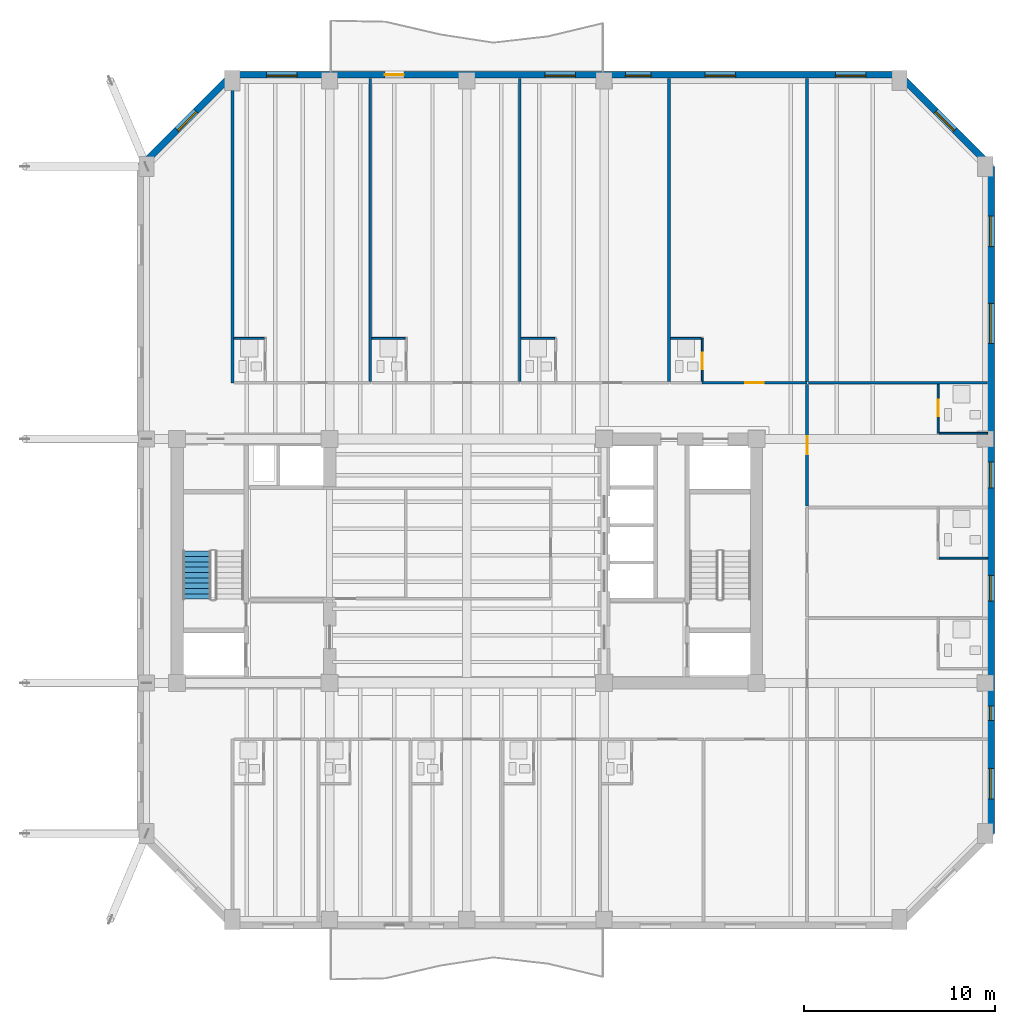
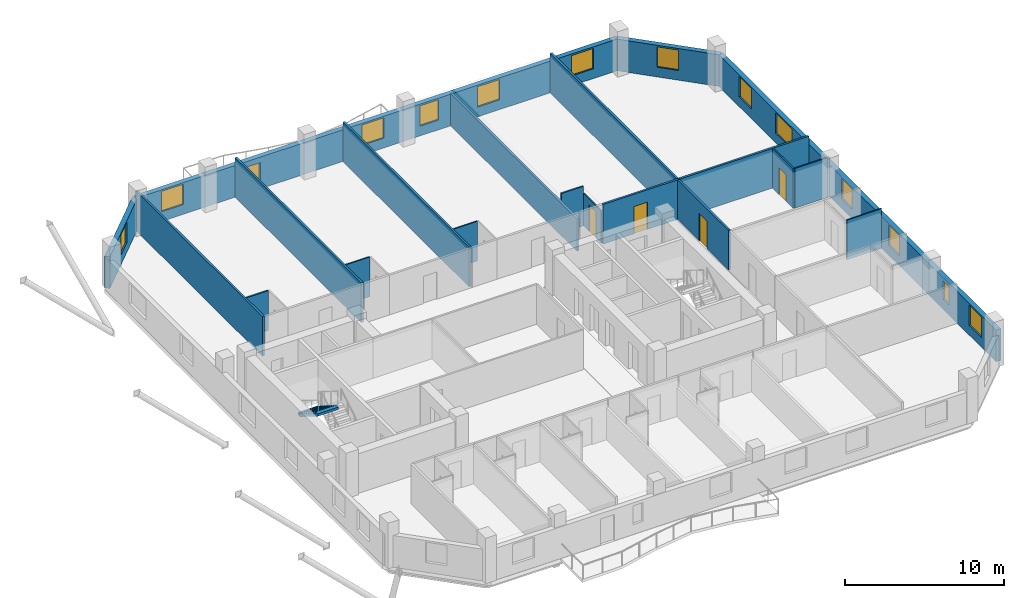
# One storey, part 8 of 13: 20 walls, 13 windows, 5 doors, 1 stair flight, 18 openings, 1 element without a shape of its own.
"""IFC4 building model written with IfcOpenShell, lengths in metres."""

from ifc_helpers import new_model, si_unit, direction, frame, frame_2d, origin, place, context, subcontext, project, spatial, polyline, rectangle, outline, extrude, material, layer, layer_set, type_object, element, fill, aggregate, save


model = new_model("IFC4")

# Units and contexts
model_context = context("Model", 3, precision=1e-05, world=origin(), true_north=direction((0.0, 1.0)))
body_context = subcontext(model_context, "Body", "Model", "MODEL_VIEW")
ifc_project = project(units=[si_unit("LENGTHUNIT", "METRE"), si_unit("AREAUNIT", "SQUARE_METRE"), si_unit("VOLUMEUNIT", "CUBIC_METRE"), si_unit("PLANEANGLEUNIT", "RADIAN"), si_unit("MASSUNIT", "GRAM", prefix="KILO")], contexts=[model_context])

# Site, building, storey
site_placement = place(None, origin())
site = spatial("IfcSite", under=ifc_project, at=site_placement, CompositionType="ELEMENT")
building_placement = place(site_placement, origin())
building = spatial("IfcBuilding", under=site, at=building_placement, Name="Kranthara Brick Stack", CompositionType="ELEMENT")
storey_placement = place(building_placement, frame((0.0, 0.0, 179.800048828125)))
storey = spatial("IfcBuildingStorey", under=building, at=storey_placement, Name="L46", CompositionType="ELEMENT", Elevation=179.800048828125)

# Wall, opening, window
ifc_material_1 = material(Name="Kiln-fired clay brick masonry M15", Category="masonry")
ifc_layer_1 = layer(ifc_material_1, 0.35009765625)
ifc_layer_set_1 = layer_set([ifc_layer_1], Name="Kiln-fired clay brick masonry M15")
wall_type_1 = type_object("IfcWallType", Name="WL-BRK-SPND-350", PredefinedType="STANDARD", material=ifc_layer_set_1)
wall_1_placement = place(storey_placement, frame((10.89501953125, 47.89990234375, 0.0), z_axis=(0.0, 0.0, 1.0), x_axis=(0.707088817216, 0.7071247447, 0.0)))
wall_1 = element("IfcWall", 1, at=wall_1_placement, inside=storey, type_object=wall_type_1, Name="L46 Exterior Brick Facade Wall NW 1", PredefinedType="STANDARD", context=body_context, shape_type="SweptSolid", body=[
    extrude(rectangle(XDim=6.79541015625, YDim=0.35009765625, at=frame_2d((3.397705078125, 0.0))), origin(), (0.0, 0.0, 1.0), 2.43505859375),
])
opening_1_placement = place(wall_1_placement, frame((2.697998046875, 0.0, 0.75)))
opening_1 = element("IfcOpeningElement", 2, at=opening_1_placement, cuts=wall_1, Name="Opening WN10", PredefinedType="OPENING", context=body_context, shape_type="SweptSolid", body=[
    extrude(rectangle(XDim=1.39990234375, YDim=1.56494140625, at=frame_2d((0.699951171875, 0.782470703125))), frame((0.0, 0.18505859375, 0.0), z_axis=(0.0, -1.0, 0.0), x_axis=(1.0, 0.0, 0.0)), (0.0, 0.0, 1.0), 0.3701171875),
])
ifc_material_2 = material(Name="Double-glazed low-E solar control glass", Category="glass")
window_type_1 = type_object("IfcWindowType", Name="WN-CHM-1400x1750", PartitioningType="SINGLE_PANEL", PredefinedType="WINDOW", material=ifc_material_2)
window_1_placement = place(opening_1_placement, origin())
window_1 = element("IfcWindow", 3, at=window_1_placement, inside=storey, type_object=window_type_1, Name="L46 NW Chamfer Corner Window", OverallHeight=1.56494140625, OverallWidth=1.39990234375, PartitioningType="SINGLE_PANEL", PredefinedType="WINDOW", context=body_context, shape_type="SweptSolid", body=[
    extrude(rectangle(XDim=1.39990234375, YDim=1.56494140625, at=frame_2d((0.699951171875, 0.782470703125))), frame((0.0, -0.010009765625, 0.0), z_axis=(0.0, -1.0, 0.0), x_axis=(1.0, 0.0, 0.0)), (0.0, 0.0, 1.0), 0.06005859375),
])
fill(opening_1, window_1)

# Wall, openings, door, windows
wall_2_placement = place(storey_placement, frame((15.699951171875, 52.705078125, 0.0), z_axis=(0.0, 0.0, 1.0), x_axis=(1.0, 0.0, 0.0)))
wall_2 = element("IfcWall", 4, at=wall_2_placement, inside=storey, type_object=wall_type_1, Name="L46 Exterior Brick Facade Wall NORTH 1", PredefinedType="STANDARD", context=body_context, shape_type="SweptSolid", body=[
    extrude(rectangle(XDim=35.0, YDim=0.35009765625, at=frame_2d((17.5, 0.0))), origin(), (0.0, 0.0, 1.0), 2.43505859375),
])
opening_2_placement = place(wall_2_placement, frame((8.0, 0.0, 0.0)))
opening_2 = element("IfcOpeningElement", 5, at=opening_2_placement, cuts=wall_2, Name="Opening D03", PredefinedType="OPENING", context=body_context, shape_type="SweptSolid", body=[
    extrude(rectangle(XDim=1.0, YDim=2.02001953125, at=frame_2d((0.5, 1.010009765625))), frame((0.0, 0.18505859375, 0.0), z_axis=(0.0, -1.0, 0.0), x_axis=(1.0, 0.0, 0.0)), (0.0, 0.0, 1.0), 0.3701171875),
])
opening_3_placement = place(wall_2_placement, frame((1.800048828125, 0.0, 0.75)))
opening_3 = element("IfcOpeningElement", 6, at=opening_3_placement, cuts=wall_2, Name="Opening WN04", PredefinedType="OPENING", context=body_context, shape_type="SweptSolid", body=[
    extrude(rectangle(XDim=1.60009765625, YDim=1.56494140625, at=frame_2d((0.800048828125, 0.782470703125))), frame((0.0, 0.18505859375, 0.0), z_axis=(0.0, -1.0, 0.0), x_axis=(1.0, 0.0, 0.0)), (0.0, 0.0, 1.0), 0.3701171875),
])
opening_4_placement = place(wall_2_placement, frame((16.39990234375, 0.0, 0.75)))
opening_4 = element("IfcOpeningElement", 7, at=opening_4_placement, cuts=wall_2, Name="Opening WN04", PredefinedType="OPENING", context=body_context, shape_type="SweptSolid", body=[
    extrude(rectangle(XDim=1.60009765625, YDim=1.56494140625, at=frame_2d((0.800048828125, 0.782470703125))), frame((0.0, 0.18505859375, 0.0), z_axis=(0.0, -1.0, 0.0), x_axis=(1.0, 0.0, 0.0)), (0.0, 0.0, 1.0), 0.3701171875),
])
opening_5_placement = place(wall_2_placement, frame((20.618896484375, 0.0, 0.75)))
opening_5 = element("IfcOpeningElement", 8, at=opening_5_placement, cuts=wall_2, Name="Opening WN06", PredefinedType="OPENING", context=body_context, shape_type="SweptSolid", body=[
    extrude(rectangle(XDim=1.35009765625, YDim=1.56494140625, at=frame_2d((0.675048828125, 0.782470703125))), frame((0.0, 0.18505859375, 0.0), z_axis=(0.0, -1.0, 0.0), x_axis=(1.0, 0.0, 0.0)), (0.0, 0.0, 1.0), 0.3701171875),
])
opening_6_placement = place(wall_2_placement, frame((24.806884765625, 0.0, 0.75)))
opening_6 = element("IfcOpeningElement", 9, at=opening_6_placement, cuts=wall_2, Name="Opening WN04", PredefinedType="OPENING", context=body_context, shape_type="SweptSolid", body=[
    extrude(rectangle(XDim=1.60009765625, YDim=1.56494140625, at=frame_2d((0.800048828125, 0.782470703125))), frame((0.0, 0.18505859375, 0.0), z_axis=(0.0, -1.0, 0.0), x_axis=(1.0, 0.0, 0.0)), (0.0, 0.0, 1.0), 0.3701171875),
])
opening_7_placement = place(wall_2_placement, frame((31.636962890625, 0.0, 0.75)))
opening_7 = element("IfcOpeningElement", 10, at=opening_7_placement, cuts=wall_2, Name="Opening WN04", PredefinedType="OPENING", context=body_context, shape_type="SweptSolid", body=[
    extrude(rectangle(XDim=1.60009765625, YDim=1.56494140625, at=frame_2d((0.800048828125, 0.782470703125))), frame((0.0, 0.18505859375, 0.0), z_axis=(0.0, -1.0, 0.0), x_axis=(1.0, 0.0, 0.0)), (0.0, 0.0, 1.0), 0.3701171875),
])
ifc_material_3 = material(Name="Bronze anodised aluminium and laminated glass", Category="aluminium")
door_type_1 = type_object("IfcDoorType", Name="DR-BALC-1000", OperationType="NOTDEFINED", PredefinedType="DOOR", material=ifc_material_3)
door_1_placement = place(opening_2_placement, origin())
door_1 = element("IfcDoor", 11, at=door_1_placement, inside=storey, type_object=door_type_1, Name="L46 North Balcony Terrace Door", OperationType="SINGLE_SWING_RIGHT", OverallHeight=2.02001953125, OverallWidth=1.0, PredefinedType="DOOR", context=body_context, shape_type="SweptSolid", body=[
    extrude(rectangle(XDim=1.0, YDim=2.02001953125, at=frame_2d((0.5, 1.010009765625))), frame((0.0, 0.02490234375, 0.0), z_axis=(0.0, -1.0, 0.0), x_axis=(1.0, 0.0, 0.0)), (0.0, 0.0, 1.0), 0.050048828125),
])
fill(opening_2, door_1)
ifc_material_4 = material(Name="Double-glazed low-E solar control glass", Category="glass")
window_type_2 = type_object("IfcWindowType", Name="WN-HTL-1350x1850", PartitioningType="SINGLE_PANEL", PredefinedType="WINDOW", material=ifc_material_4)
window_2_placement = place(opening_5_placement, origin())
window_2 = element("IfcWindow", 12, at=window_2_placement, inside=storey, type_object=window_type_2, Name="L46 North Deep-Set Brick Window 03", OverallHeight=1.56494140625, OverallWidth=1.35009765625, PartitioningType="SINGLE_PANEL", PredefinedType="WINDOW", context=body_context, shape_type="SweptSolid", body=[
    extrude(rectangle(XDim=1.35009765625, YDim=1.56494140625, at=frame_2d((0.675048828125, 0.782470703125))), frame((0.0, -0.010009765625, 0.0), z_axis=(0.0, -1.0, 0.0), x_axis=(1.0, 0.0, 0.0)), (0.0, 0.0, 1.0), 0.06005859375),
])
fill(opening_5, window_2)
ifc_material_5 = material(Name="Double-glazed low-E solar control glass", Category="glass")
window_type_3 = type_object("IfcWindowType", Name="WN-HTL-1600x1850", PartitioningType="DOUBLE_PANEL_VERTICAL", PredefinedType="WINDOW", material=ifc_material_5)
window_3_placement = place(opening_3_placement, origin())
window_3 = element("IfcWindow", 13, at=window_3_placement, inside=storey, type_object=window_type_3, Name="L46 North Deep-Set Brick Window 01", OverallHeight=1.56494140625, OverallWidth=1.60009765625, PartitioningType="SINGLE_PANEL", PredefinedType="WINDOW", context=body_context, shape_type="SweptSolid", body=[
    extrude(rectangle(XDim=1.60009765625, YDim=1.56494140625, at=frame_2d((0.800048828125, 0.782470703125))), frame((0.0, -0.010009765625, 0.0), z_axis=(0.0, -1.0, 0.0), x_axis=(1.0, 0.0, 0.0)), (0.0, 0.0, 1.0), 0.06005859375),
])
fill(opening_3, window_3)
window_4_placement = place(opening_4_placement, origin())
window_4 = element("IfcWindow", 14, at=window_4_placement, inside=storey, type_object=window_type_3, Name="L46 North Deep-Set Brick Window 02", OverallHeight=1.56494140625, OverallWidth=1.60009765625, PartitioningType="SINGLE_PANEL", PredefinedType="WINDOW", context=body_context, shape_type="SweptSolid", body=[
    extrude(rectangle(XDim=1.60009765625, YDim=1.56494140625, at=frame_2d((0.800048828125, 0.782470703125))), frame((0.0, -0.010009765625, 0.0), z_axis=(0.0, -1.0, 0.0), x_axis=(1.0, 0.0, 0.0)), (0.0, 0.0, 1.0), 0.06005859375),
])
fill(opening_4, window_4)
window_5_placement = place(opening_6_placement, origin())
window_5 = element("IfcWindow", 15, at=window_5_placement, inside=storey, type_object=window_type_3, Name="L46 North Deep-Set Brick Window 04", OverallHeight=1.56494140625, OverallWidth=1.60009765625, PartitioningType="SINGLE_PANEL", PredefinedType="WINDOW", context=body_context, shape_type="SweptSolid", body=[
    extrude(rectangle(XDim=1.60009765625, YDim=1.56494140625, at=frame_2d((0.800048828125, 0.782470703125))), frame((0.0, -0.010009765625, 0.0), z_axis=(0.0, -1.0, 0.0), x_axis=(1.0, 0.0, 0.0)), (0.0, 0.0, 1.0), 0.06005859375),
])
fill(opening_6, window_5)
window_6_placement = place(opening_7_placement, origin())
window_6 = element("IfcWindow", 16, at=window_6_placement, inside=storey, type_object=window_type_3, Name="L46 North Deep-Set Brick Window 05", OverallHeight=1.56494140625, OverallWidth=1.60009765625, PartitioningType="SINGLE_PANEL", PredefinedType="WINDOW", context=body_context, shape_type="SweptSolid", body=[
    extrude(rectangle(XDim=1.60009765625, YDim=1.56494140625, at=frame_2d((0.800048828125, 0.782470703125))), frame((0.0, -0.010009765625, 0.0), z_axis=(0.0, -1.0, 0.0), x_axis=(1.0, 0.0, 0.0)), (0.0, 0.0, 1.0), 0.06005859375),
])
fill(opening_7, window_6)

# Wall, opening, window
wall_3_placement = place(storey_placement, frame((50.699951171875, 52.705078125, 0.0), z_axis=(0.0, 0.0, 1.0), x_axis=(0.707088817216, -0.7071247447, 0.0)))
wall_3 = element("IfcWall", 17, at=wall_3_placement, inside=storey, type_object=wall_type_1, Name="L46 Exterior Brick Facade Wall NE 1", PredefinedType="STANDARD", context=body_context, shape_type="SweptSolid", body=[
    extrude(rectangle(XDim=6.79541015625, YDim=0.35009765625, at=frame_2d((3.397705078125, 0.0))), origin(), (0.0, 0.0, 1.0), 2.43505859375),
])
opening_8_placement = place(wall_3_placement, frame((2.697998046875, 0.0, 0.75)))
opening_8 = element("IfcOpeningElement", 18, at=opening_8_placement, cuts=wall_3, Name="Opening WN10", PredefinedType="OPENING", context=body_context, shape_type="SweptSolid", body=[
    extrude(rectangle(XDim=1.39990234375, YDim=1.56494140625, at=frame_2d((0.699951171875, 0.782470703125))), frame((0.0, 0.18505859375, 0.0), z_axis=(0.0, -1.0, 0.0), x_axis=(1.0, 0.0, 0.0)), (0.0, 0.0, 1.0), 0.3701171875),
])
window_7_placement = place(opening_8_placement, origin())
window_7 = element("IfcWindow", 19, at=window_7_placement, inside=storey, type_object=window_type_1, Name="L46 NE Chamfer Corner Window", OverallHeight=1.56494140625, OverallWidth=1.39990234375, PartitioningType="SINGLE_PANEL", PredefinedType="WINDOW", context=body_context, shape_type="SweptSolid", body=[
    extrude(rectangle(XDim=1.39990234375, YDim=1.56494140625, at=frame_2d((0.699951171875, 0.782470703125))), frame((0.0, -0.010009765625, 0.0), z_axis=(0.0, -1.0, 0.0), x_axis=(1.0, 0.0, 0.0)), (0.0, 0.0, 1.0), 0.06005859375),
])
fill(opening_8, window_7)

# Wall, openings, windows
wall_4_placement = place(storey_placement, frame((55.5048828125, 47.89990234375, 0.0), z_axis=(0.0, 0.0, 1.0), x_axis=(0.0, -1.0, 0.0)))
wall_4 = element("IfcWall", 20, at=wall_4_placement, inside=storey, type_object=wall_type_1, Name="L46 Exterior Brick Facade Wall EAST 1", PredefinedType="STANDARD", context=body_context, shape_type="SweptSolid", body=[
    extrude(rectangle(XDim=35.0, YDim=0.35009765625, at=frame_2d((17.5, 0.0))), origin(), (0.0, 0.0, 1.0), 2.43505859375),
])
opening_9_placement = place(wall_4_placement, frame((2.613037109375, 0.0, 0.75)))
opening_9 = element("IfcOpeningElement", 21, at=opening_9_placement, cuts=wall_4, Name="Opening WN04", PredefinedType="OPENING", context=body_context, shape_type="SweptSolid", body=[
    extrude(rectangle(XDim=1.60009765625, YDim=1.56494140625, at=frame_2d((0.800048828125, 0.782470703125))), frame((0.0, 0.18505859375, 0.0), z_axis=(0.0, -1.0, 0.0), x_axis=(1.0, 0.0, 0.0)), (0.0, 0.0, 1.0), 0.3701171875),
])
opening_10_placement = place(wall_4_placement, frame((7.18701171875, 0.0, 0.75)))
opening_10 = element("IfcOpeningElement", 22, at=opening_10_placement, cuts=wall_4, Name="Opening WN05", PredefinedType="OPENING", context=body_context, shape_type="SweptSolid", body=[
    extrude(rectangle(XDim=2.10009765625, YDim=1.56494140625, at=frame_2d((1.050048828125, 0.782470703125))), frame((0.0, 0.18505859375, 0.0), z_axis=(0.0, -1.0, 0.0), x_axis=(1.0, 0.0, 0.0)), (0.0, 0.0, 1.0), 0.3701171875),
])
opening_11_placement = place(wall_4_placement, frame((15.511962890625, 0.0, 0.75)))
opening_11 = element("IfcOpeningElement", 23, at=opening_11_placement, cuts=wall_4, Name="Opening WN06", PredefinedType="OPENING", context=body_context, shape_type="SweptSolid", body=[
    extrude(rectangle(XDim=1.35009765625, YDim=1.56494140625, at=frame_2d((0.675048828125, 0.782470703125))), frame((0.0, 0.18505859375, 0.0), z_axis=(0.0, -1.0, 0.0), x_axis=(1.0, 0.0, 0.0)), (0.0, 0.0, 1.0), 0.3701171875),
])
opening_12_placement = place(wall_4_placement, frame((21.449951171875, 0.0, 0.75)))
opening_12 = element("IfcOpeningElement", 24, at=opening_12_placement, cuts=wall_4, Name="Opening WN06", PredefinedType="OPENING", context=body_context, shape_type="SweptSolid", body=[
    extrude(rectangle(XDim=1.35009765625, YDim=1.56494140625, at=frame_2d((0.675048828125, 0.782470703125))), frame((0.0, 0.18505859375, 0.0), z_axis=(0.0, -1.0, 0.0), x_axis=(1.0, 0.0, 0.0)), (0.0, 0.0, 1.0), 0.3701171875),
])
opening_13_placement = place(wall_4_placement, frame((31.574951171875, 0.0, 0.75)))
opening_13 = element("IfcOpeningElement", 25, at=opening_13_placement, cuts=wall_4, Name="Opening WN04", PredefinedType="OPENING", context=body_context, shape_type="SweptSolid", body=[
    extrude(rectangle(XDim=1.60009765625, YDim=1.56494140625, at=frame_2d((0.800048828125, 0.782470703125))), frame((0.0, 0.18505859375, 0.0), z_axis=(0.0, -1.0, 0.0), x_axis=(1.0, 0.0, 0.0)), (0.0, 0.0, 1.0), 0.3701171875),
])
opening_14_placement = place(wall_4_placement, frame((28.31201171875, 0.0, 0.75)))
opening_14 = element("IfcOpeningElement", 26, at=opening_14_placement, cuts=wall_4, Name="Opening WN13", PredefinedType="OPENING", context=body_context, shape_type="SweptSolid", body=[
    extrude(rectangle(XDim=0.75, YDim=1.449951171875, at=frame_2d((0.375, 0.72509765625))), frame((0.0, 0.18505859375, 0.0), z_axis=(0.0, -1.0, 0.0), x_axis=(1.0, 0.0, 0.0)), (0.0, 0.0, 1.0), 0.3701171875),
])
ifc_material_6 = material(Name="Double-glazed low-E solar control glass", Category="glass")
window_type_4 = type_object("IfcWindowType", Name="WN-CAS-750x1450", PartitioningType="SINGLE_PANEL", PredefinedType="WINDOW", material=ifc_material_6)
window_8_placement = place(opening_14_placement, origin())
window_8 = element("IfcWindow", 27, at=window_8_placement, inside=storey, type_object=window_type_4, Name="L46 East Deep-Set Casement Window 06", OverallHeight=1.449951171875, OverallWidth=0.75, PartitioningType="SINGLE_PANEL", PredefinedType="WINDOW", context=body_context, shape_type="SweptSolid", body=[
    extrude(rectangle(XDim=0.75, YDim=1.449951171875, at=frame_2d((0.375, 0.72509765625))), frame((0.0, -0.010009765625, 0.0), z_axis=(0.0, -1.0, 0.0), x_axis=(1.0, 0.0, 0.0)), (0.0, 0.0, 1.0), 0.06005859375),
])
fill(opening_14, window_8)
window_9_placement = place(opening_11_placement, origin())
window_9 = element("IfcWindow", 28, at=window_9_placement, inside=storey, type_object=window_type_2, Name="L46 East Deep-Set Brick Window 03", OverallHeight=1.56494140625, OverallWidth=1.35009765625, PartitioningType="SINGLE_PANEL", PredefinedType="WINDOW", context=body_context, shape_type="SweptSolid", body=[
    extrude(rectangle(XDim=1.35009765625, YDim=1.56494140625, at=frame_2d((0.675048828125, 0.782470703125))), frame((0.0, -0.010009765625, 0.0), z_axis=(0.0, -1.0, 0.0), x_axis=(1.0, 0.0, 0.0)), (0.0, 0.0, 1.0), 0.06005859375),
])
fill(opening_11, window_9)
window_10_placement = place(opening_12_placement, origin())
window_10 = element("IfcWindow", 29, at=window_10_placement, inside=storey, type_object=window_type_2, Name="L46 East Deep-Set Brick Window 04", OverallHeight=1.56494140625, OverallWidth=1.35009765625, PartitioningType="SINGLE_PANEL", PredefinedType="WINDOW", context=body_context, shape_type="SweptSolid", body=[
    extrude(rectangle(XDim=1.35009765625, YDim=1.56494140625, at=frame_2d((0.675048828125, 0.782470703125))), frame((0.0, -0.010009765625, 0.0), z_axis=(0.0, -1.0, 0.0), x_axis=(1.0, 0.0, 0.0)), (0.0, 0.0, 1.0), 0.06005859375),
])
fill(opening_12, window_10)
window_11_placement = place(opening_9_placement, origin())
window_11 = element("IfcWindow", 30, at=window_11_placement, inside=storey, type_object=window_type_3, Name="L46 East Deep-Set Brick Window 01", OverallHeight=1.56494140625, OverallWidth=1.60009765625, PartitioningType="SINGLE_PANEL", PredefinedType="WINDOW", context=body_context, shape_type="SweptSolid", body=[
    extrude(rectangle(XDim=1.60009765625, YDim=1.56494140625, at=frame_2d((0.800048828125, 0.782470703125))), frame((0.0, -0.010009765625, 0.0), z_axis=(0.0, -1.0, 0.0), x_axis=(1.0, 0.0, 0.0)), (0.0, 0.0, 1.0), 0.06005859375),
])
fill(opening_9, window_11)
window_12_placement = place(opening_13_placement, origin())
window_12 = element("IfcWindow", 31, at=window_12_placement, inside=storey, type_object=window_type_3, Name="L46 East Deep-Set Brick Window 05", OverallHeight=1.56494140625, OverallWidth=1.60009765625, PartitioningType="SINGLE_PANEL", PredefinedType="WINDOW", context=body_context, shape_type="SweptSolid", body=[
    extrude(rectangle(XDim=1.60009765625, YDim=1.56494140625, at=frame_2d((0.800048828125, 0.782470703125))), frame((0.0, -0.010009765625, 0.0), z_axis=(0.0, -1.0, 0.0), x_axis=(1.0, 0.0, 0.0)), (0.0, 0.0, 1.0), 0.06005859375),
])
fill(opening_13, window_12)
ifc_material_7 = material(Name="Double-glazed low-E solar control glass", Category="glass")
window_type_5 = type_object("IfcWindowType", Name="WN-HTL-2100x1850", PartitioningType="DOUBLE_PANEL_VERTICAL", PredefinedType="WINDOW", material=ifc_material_7)
window_13_placement = place(opening_10_placement, origin())
window_13 = element("IfcWindow", 32, at=window_13_placement, inside=storey, type_object=window_type_5, Name="L46 East Deep-Set Brick Window 02", OverallHeight=1.56494140625, OverallWidth=2.10009765625, PartitioningType="SINGLE_PANEL", PredefinedType="WINDOW", context=body_context, shape_type="SweptSolid", body=[
    extrude(rectangle(XDim=2.10009765625, YDim=1.56494140625, at=frame_2d((1.050048828125, 0.782470703125))), frame((0.0, -0.010009765625, 0.0), z_axis=(0.0, -1.0, 0.0), x_axis=(1.0, 0.0, 0.0)), (0.0, 0.0, 1.0), 0.06005859375),
])
fill(opening_10, window_13)

# Walls
ifc_material_8 = material(Name="Moisture-resistant wet-room partition", Category="other")
ifc_layer_2 = layer(ifc_material_8, 0.10009765625)
ifc_layer_set_2 = layer_set([ifc_layer_2], Name="Moisture-resistant wet-room partition")
wall_type_2 = type_object("IfcWallType", Name="WL-PART-100", PredefinedType="PARTITIONING", material=ifc_layer_set_2)
wall_5_placement = place(storey_placement, frame((15.780029296875, 38.8798828125, 0.0), z_axis=(0.0, 0.0, 1.0), x_axis=(1.0, 0.0, 0.0)))
element("IfcWall", 33, at=wall_5_placement, inside=storey, type_object=wall_type_2, Name="L46 Interior Partition 037", PredefinedType="PARTITIONING", context=body_context, shape_type="SweptSolid", body=[
    extrude(rectangle(XDim=1.6015625, YDim=0.10009765625, at=frame_2d((0.80078125, 0.0))), origin(), (0.0, 0.0, 1.0), 3.050048828125),
])
for number, where, z_axis, x_axis, name in (
    (34, (23.01611328125, 38.8798828125, 0.0), (0.0, 0.0, 1.0), (1.0, 0.0, 0.0), "L46 Interior Partition 042"),
    (35, (30.85498046875, 38.8798828125, 0.0), (0.0, 0.0, 1.0), (1.0, 0.0, 0.0), "L46 Interior Partition 047"),
):
    element("IfcWall", number, at=place(storey_placement, frame(where, z_axis=z_axis, x_axis=x_axis)), inside=storey, type_object=wall_type_2, Name=name, PredefinedType="PARTITIONING", context=body_context, shape_type="SweptSolid", body=[
        extrude(rectangle(XDim=1.746337890625, YDim=0.10009765625, at=frame_2d((0.873046875, 0.0))), origin(), (0.0, 0.0, 1.0), 3.050048828125),
    ])

# Wall, opening, door
wall_6_placement = place(storey_placement, frame((40.3505859375, 36.6298828125, 0.0), z_axis=(0.0, 0.0, 1.0), x_axis=(0.0, 1.0, 0.0)))
wall_6 = element("IfcWall", 36, at=wall_6_placement, inside=storey, type_object=wall_type_2, Name="L46 Interior Partition 051", PredefinedType="PARTITIONING", context=body_context, shape_type="SweptSolid", body=[
    extrude(rectangle(XDim=2.25, YDim=0.10009765625, at=frame_2d((1.125, 0.0))), origin(), (0.0, 0.0, 1.0), 2.48486328125),
])
opening_15_placement = place(wall_6_placement, frame((0.639892578125, 0.0, 0.0)))
opening_15 = element("IfcOpeningElement", 37, at=opening_15_placement, cuts=wall_6, Name="Opening D17", PredefinedType="OPENING", context=body_context, shape_type="SweptSolid", body=[
    extrude(rectangle(XDim=0.85009765625, YDim=2.050048828125, at=frame_2d((0.425048828125, 1.02490234375))), frame((0.0, 0.06005859375, 0.0), z_axis=(0.0, -1.0, 0.0), x_axis=(1.0, 0.0, 0.0)), (0.0, 0.0, 1.0), 0.1201171875),
])
ifc_material_9 = material(Name="Solid-core hardwood timber leaf in steel frame", Category="steel")
door_type_2 = type_object("IfcDoorType", Name="DR-WET-850", OperationType="NOTDEFINED", PredefinedType="DOOR", material=ifc_material_9)
door_2_placement = place(opening_15_placement, origin())
door_2 = element("IfcDoor", 38, at=door_2_placement, inside=storey, type_object=door_type_2, Name="L46 Key 10 En-Suite Door 20", OperationType="SINGLE_SWING_RIGHT", OverallHeight=2.050048828125, OverallWidth=0.85009765625, PredefinedType="DOOR", context=body_context, shape_type="SweptSolid", body=[
    extrude(rectangle(XDim=0.85009765625, YDim=2.050048828125, at=frame_2d((0.425048828125, 1.02490234375))), frame((0.0, 0.02490234375, 0.0), z_axis=(0.0, -1.0, 0.0), x_axis=(1.0, 0.0, 0.0)), (0.0, 0.0, 1.0), 0.050048828125),
])
fill(opening_15, door_2)

# Walls
wall_7_placement = place(storey_placement, frame((38.694091796875, 38.8798828125, 0.0), z_axis=(0.0, 0.0, 1.0), x_axis=(1.0, 0.0, 0.0)))
element("IfcWall", 39, at=wall_7_placement, inside=storey, type_object=wall_type_2, Name="L46 Interior Partition 052", PredefinedType="PARTITIONING", context=body_context, shape_type="SweptSolid", body=[
    extrude(rectangle(XDim=1.6015625, YDim=0.10009765625, at=frame_2d((0.80078125, 0.0))), origin(), (0.0, 0.0, 1.0), 3.050048828125),
])
wall_8_placement = place(storey_placement, frame((52.784912109375, 27.35009765625, 0.0), z_axis=(0.0, 0.0, 1.0), x_axis=(1.0, 0.0, 0.0)))
element("IfcWall", 40, at=wall_8_placement, inside=storey, type_object=wall_type_2, Name="L46 Interior Partition 062", PredefinedType="PARTITIONING", context=body_context, shape_type="SweptSolid", body=[
    extrude(rectangle(XDim=2.5400390625, YDim=0.10009765625, at=frame_2d((1.27001953125, 0.0))), origin(), (0.0, 0.0, 1.0), 3.050048828125),
])

# Wall, opening, door
wall_9_placement = place(storey_placement, frame((52.72998046875, 33.89990234375, 0.0), z_axis=(0.0, 0.0, 1.0), x_axis=(0.0, 1.0, 0.0)))
wall_9 = element("IfcWall", 41, at=wall_9_placement, inside=storey, type_object=wall_type_2, Name="L46 Interior Partition 065", PredefinedType="PARTITIONING", context=body_context, shape_type="SweptSolid", body=[
    extrude(rectangle(XDim=2.570068359375, YDim=0.10009765625, at=frame_2d((1.28515625, 0.0))), origin(), (0.0, 0.0, 1.0), 3.050048828125),
])
opening_16_placement = place(wall_9_placement, frame((0.905029296875, 0.0, 0.0)))
opening_16 = element("IfcOpeningElement", 42, at=opening_16_placement, cuts=wall_9, Name="Opening D17", PredefinedType="OPENING", context=body_context, shape_type="SweptSolid", body=[
    extrude(rectangle(XDim=0.85009765625, YDim=2.050048828125, at=frame_2d((0.425048828125, 1.02490234375))), frame((0.0, 0.06005859375, 0.0), z_axis=(0.0, -1.0, 0.0), x_axis=(1.0, 0.0, 0.0)), (0.0, 0.0, 1.0), 0.1201171875),
])
door_3_placement = place(opening_16_placement, origin())
door_3 = element("IfcDoor", 43, at=door_3_placement, inside=storey, type_object=door_type_2, Name="L46 East Key 13 Bath 26", OperationType="SINGLE_SWING_RIGHT", OverallHeight=2.050048828125, OverallWidth=0.85009765625, PredefinedType="DOOR", context=body_context, shape_type="SweptSolid", body=[
    extrude(rectangle(XDim=0.85009765625, YDim=2.050048828125, at=frame_2d((0.425048828125, 1.02490234375))), frame((0.0, 0.02490234375, 0.0), z_axis=(0.0, -1.0, 0.0), x_axis=(1.0, 0.0, 0.0)), (0.0, 0.0, 1.0), 0.050048828125),
])
fill(opening_16, door_3)

# Walls
wall_10_placement = place(storey_placement, frame((52.784912109375, 33.89990234375, 0.0), z_axis=(0.0, 0.0, 1.0), x_axis=(1.0, 0.0, 0.0)))
element("IfcWall", 44, at=wall_10_placement, inside=storey, type_object=wall_type_2, Name="L46 Interior Partition 066", PredefinedType="PARTITIONING", context=body_context, shape_type="SweptSolid", body=[
    extrude(rectangle(XDim=2.5400390625, YDim=0.10009765625, at=frame_2d((1.27001953125, 0.0))), origin(), (0.0, 0.0, 1.0), 3.050048828125),
])
ifc_material_10 = material(Name="Fire-rated gypsum board partition", Category="other")
ifc_layer_3 = layer(ifc_material_10, 0.14990234375)
ifc_layer_set_3 = layer_set([ifc_layer_3], Name="Fire-rated gypsum board partition")
wall_type_3 = type_object("IfcWallType", Name="WL-PART-150", PredefinedType="PARTITIONING", material=ifc_layer_set_3)
wall_11_placement = place(storey_placement, frame((15.699951171875, 36.550048828125, 0.0), z_axis=(0.0, 0.0, 1.0), x_axis=(0.0, 1.0, 0.0)))
element("IfcWall", 45, at=wall_11_placement, inside=storey, type_object=wall_type_3, Name="L46 Interior Partition 033", PredefinedType="PARTITIONING", context=body_context, shape_type="SweptSolid", body=[
    extrude(rectangle(XDim=15.974853515625, YDim=0.14990234375, at=frame_2d((7.9873046875, 0.0))), origin(), (0.0, 0.0, 1.0), 3.050048828125),
])
for number, where, z_axis, x_axis, name in (
    (46, (22.93603515625, 36.6298828125, 0.0), (0.0, 0.0, 1.0), (0.0, 1.0, 0.0), "L46 Interior Partition 038"),
    (47, (30.77490234375, 36.6298828125, 0.0), (0.0, 0.0, 1.0), (0.0, 1.0, 0.0), "L46 Interior Partition 043"),
):
    element("IfcWall", number, at=place(storey_placement, frame(where, z_axis=z_axis, x_axis=x_axis)), inside=storey, type_object=wall_type_3, Name=name, PredefinedType="PARTITIONING", context=body_context, shape_type="SweptSolid", body=[
        extrude(rectangle(XDim=15.89501953125, YDim=0.14990234375, at=frame_2d((7.947509765625, 0.0))), origin(), (0.0, 0.0, 1.0), 3.050048828125),
    ])
wall_12_placement = place(storey_placement, frame((38.614013671875, 36.6298828125, 0.0), z_axis=(0.0, 0.0, 1.0), x_axis=(0.0, 1.0, 0.0)))
element("IfcWall", 48, at=wall_12_placement, inside=storey, type_object=wall_type_3, Name="L46 Interior Partition 048", PredefinedType="PARTITIONING", context=body_context, shape_type="SweptSolid", body=[
    extrude(rectangle(XDim=15.89501953125, YDim=0.14990234375, at=frame_2d((7.947509765625, 0.0))), origin(), (0.0, 0.0, 1.0), 2.48486328125),
])

# Wall, opening, door
wall_13_placement = place(storey_placement, frame((40.3505859375, 36.550048828125, 0.0), z_axis=(0.0, 0.0, 1.0), x_axis=(1.0, 0.0, 0.0)))
wall_13 = element("IfcWall", 49, at=wall_13_placement, inside=storey, type_object=wall_type_3, Name="L46 Interior Partition 050", PredefinedType="PARTITIONING", context=body_context, shape_type="SweptSolid", body=[
    extrude(rectangle(XDim=5.49951171875, YDim=0.14990234375, at=frame_2d((2.749755859375, 0.0))), origin(), (0.0, 0.0, 1.0), 3.050048828125),
])
opening_17_placement = place(wall_13_placement, frame((2.27001953125, 0.0, 0.0)))
opening_17 = element("IfcOpeningElement", 50, at=opening_17_placement, cuts=wall_13, Name="Opening D09", PredefinedType="OPENING", context=body_context, shape_type="SweptSolid", body=[
    extrude(rectangle(XDim=0.949951171875, YDim=2.10009765625, at=frame_2d((0.47509765625, 1.050048828125))), frame((0.0, 0.0849609375, 0.0), z_axis=(0.0, -1.0, 0.0), x_axis=(1.0, 0.0, 0.0)), (0.0, 0.0, 1.0), 0.169921875),
])
ifc_material_11 = material(Name="Solid-core hardwood timber leaf in steel frame", Category="steel")
door_type_3 = type_object("IfcDoorType", Name="DR-FD-950", OperationType="NOTDEFINED", PredefinedType="DOOR", material=ifc_material_11)
door_4_placement = place(opening_17_placement, origin())
door_4 = element("IfcDoor", 51, at=door_4_placement, inside=storey, type_object=door_type_3, Name="L46 Key 10 Entry 21", OperationType="SINGLE_SWING_LEFT", OverallHeight=2.10009765625, OverallWidth=0.949951171875, PredefinedType="DOOR", context=body_context, shape_type="SweptSolid", body=[
    extrude(rectangle(XDim=0.949951171875, YDim=2.10009765625, at=frame_2d((0.47509765625, 1.050048828125))), frame((0.0, 0.02490234375, 0.0), z_axis=(0.0, -1.0, 0.0), x_axis=(1.0, 0.0, 0.0)), (0.0, 0.0, 1.0), 0.050048828125),
])
fill(opening_17, door_4)

# Walls
wall_14_placement = place(storey_placement, frame((45.85009765625, 36.6298828125, 0.0), z_axis=(0.0, 0.0, 1.0), x_axis=(0.0, 1.0, 0.0)))
element("IfcWall", 52, at=wall_14_placement, inside=storey, type_object=wall_type_3, Name="L46 Interior Partition 053", PredefinedType="PARTITIONING", context=body_context, shape_type="SweptSolid", body=[
    extrude(rectangle(XDim=15.89501953125, YDim=0.14990234375, at=frame_2d((7.947509765625, 0.0))), origin(), (0.0, 0.0, 1.0), 3.050048828125),
])
wall_15_placement = place(storey_placement, frame((45.929931640625, 36.550048828125, 0.0), z_axis=(0.0, 0.0, 1.0), x_axis=(1.0, 0.0, 0.0)))
element("IfcWall", 53, at=wall_15_placement, inside=storey, type_object=wall_type_3, Name="L46 Interior Partition 055", PredefinedType="PARTITIONING", context=body_context, shape_type="SweptSolid", body=[
    extrude(rectangle(XDim=9.39501953125, YDim=0.14990234375, at=frame_2d((4.697509765625, 0.0))), origin(), (0.0, 0.0, 1.0), 3.050048828125),
])

# Wall, opening, door
wall_16_placement = place(storey_placement, frame((45.85009765625, 30.080078125, 0.0), z_axis=(0.0, 0.0, 1.0), x_axis=(0.0, 1.0, 0.0)))
wall_16 = element("IfcWall", 54, at=wall_16_placement, inside=storey, type_object=wall_type_3, Name="L46 Interior Partition 064", PredefinedType="PARTITIONING", context=body_context, shape_type="SweptSolid", body=[
    extrude(rectangle(XDim=6.389892578125, YDim=0.14990234375, at=frame_2d((3.19482421875, 0.0))), origin(), (0.0, 0.0, 1.0), 3.050048828125),
])
opening_18_placement = place(wall_16_placement, frame((2.715087890625, 0.0, 0.0)))
opening_18 = element("IfcOpeningElement", 55, at=opening_18_placement, cuts=wall_16, Name="Opening D09", PredefinedType="OPENING", context=body_context, shape_type="SweptSolid", body=[
    extrude(rectangle(XDim=0.949951171875, YDim=2.10009765625, at=frame_2d((0.47509765625, 1.050048828125))), frame((0.0, 0.0849609375, 0.0), z_axis=(0.0, -1.0, 0.0), x_axis=(1.0, 0.0, 0.0)), (0.0, 0.0, 1.0), 0.169921875),
])
door_5_placement = place(opening_18_placement, origin())
door_5 = element("IfcDoor", 56, at=door_5_placement, inside=storey, type_object=door_type_3, Name="L46 East Key 13 27", OperationType="SINGLE_SWING_LEFT", OverallHeight=2.10009765625, OverallWidth=0.949951171875, PredefinedType="DOOR", context=body_context, shape_type="SweptSolid", body=[
    extrude(rectangle(XDim=0.949951171875, YDim=2.10009765625, at=frame_2d((0.47509765625, 1.050048828125))), frame((0.0, 0.02490234375, 0.0), z_axis=(0.0, -1.0, 0.0), x_axis=(1.0, 0.0, 0.0)), (0.0, 0.0, 1.0), 0.050048828125),
])
fill(opening_18, door_5)

# Stair, stair flight
ifc_material_12 = material(Name="Concrete C45/55", Category="concrete")
stair_type = type_object("IfcStairType", Name="ST-CORE-20R", PredefinedType="HALF_TURN_STAIR", material=ifc_material_12)
stair_placement = place(storey_placement, origin())
stair = element("IfcStair", 57, at=stair_placement, inside=storey, type_object=stair_type, Name="L46 West Core Protected Exit Stair ST01", PredefinedType="HALF_TURN_STAIR")
ifc_material_13 = material(Name="Concrete C45/55", Category="concrete")
stair_flight_type = type_object("IfcStairFlightType", Name="SFL-RC-20R", PredefinedType="STRAIGHT", material=ifc_material_13)
stair_flight_placement = place(storey_placement, frame((13.85009765625, 27.719970703125, 1.75), z_axis=(0.0, 0.0, 1.0), x_axis=(0.0, -1.0, 0.0)))
stair_flight = element("IfcStairFlight", 58, at=stair_flight_placement, type_object=stair_flight_type, Name="ST01 flight 2", NumberOfRisers=10, NumberOfTreads=9, PredefinedType="STRAIGHT", RiserHeight=0.175, TreadLength=0.28, context=body_context, shape_type="SweptSolid", body=[
    extrude(outline(polyline([(0.0, 0.0), (0.0, 0.175048828125), (0.280029296875, 0.175048828125), (0.280029296875, 0.35009765625), (0.56005859375, 0.35009765625), (0.56005859375, 0.52490234375), (0.840087890625, 0.52490234375), (0.840087890625, 0.699951171875), (1.1201171875, 0.699951171875), (1.1201171875, 0.875), (1.39990234375, 0.875), (1.39990234375, 1.050048828125), (1.679931640625, 1.050048828125), (1.679931640625, 1.22509765625), (1.9599609375, 1.22509765625), (1.9599609375, 1.39990234375), (2.239990234375, 1.39990234375), (2.239990234375, 1.574951171875), (2.52001953125, 1.574951171875), (2.52001953125, 1.75), (2.52001953125, 1.398193359375), (0.28271484375, 0.0), (0.0, 0.0)])), frame((0.0, 0.75, 0.0), z_axis=(0.0, -1.0, 0.0), x_axis=(1.0, 0.0, 0.0)), (0.0, 0.0, 1.0), 1.5),
])
aggregate(stair, [stair_flight])

save(model, "model.ifc")
